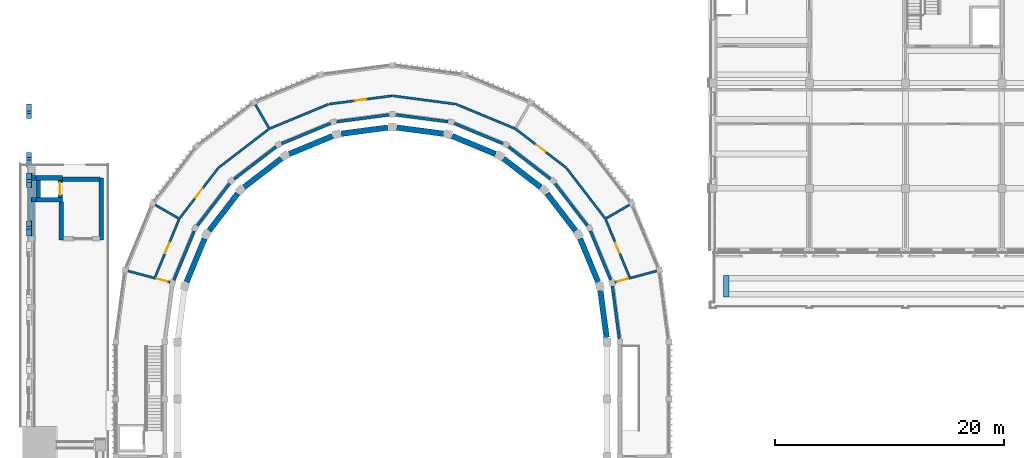
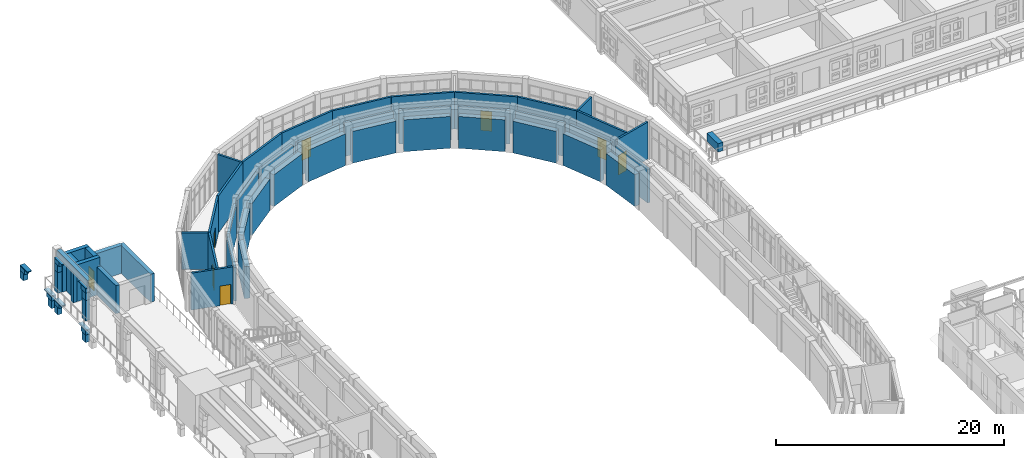
# One storey, part 62 of 99: 68 walls, 8 doors, 8 openings.
"""IFC4 building model written with IfcOpenShell, lengths in metres."""

from ifc_helpers import new_model, si_unit, direction, frame, frame_2d, origin, place, context, subcontext, project, spatial, rectangle, extrude, material, layer, layer_set, type_object, element, fill, save


model = new_model("IFC4")

# Units and contexts
model_context = context("Model", 3, precision=1e-05, world=origin(), true_north=direction((0.0, 1.0)))
body_context = subcontext(model_context, "Body", "Model", "MODEL_VIEW")
ifc_project = project(units=[si_unit("LENGTHUNIT", "METRE"), si_unit("AREAUNIT", "SQUARE_METRE"), si_unit("VOLUMEUNIT", "CUBIC_METRE"), si_unit("PLANEANGLEUNIT", "RADIAN"), si_unit("MASSUNIT", "GRAM", prefix="KILO")], contexts=[model_context])

# Site, building, storey
site_placement = place(None, origin())
site = spatial("IfcSite", under=ifc_project, at=site_placement, CompositionType="ELEMENT")
building_placement = place(site_placement, origin())
building = spatial("IfcBuilding", under=site, at=building_placement, Name="Wasatch Bagh Community Centre", CompositionType="ELEMENT")
storey_placement = place(building_placement, frame((0.0, 0.0, 4.199951171875)))
storey = spatial("IfcBuildingStorey", under=building, at=storey_placement, Name="L01", CompositionType="ELEMENT", Elevation=4.199951171875)

# Walls
ifc_material_1 = material(Name="Concrete C40", Category="concrete")
ifc_layer_1 = layer(ifc_material_1, 0.39990234375)
ifc_layer_set_1 = layer_set([ifc_layer_1], Name="Concrete C40")
wall_type_1 = type_object("IfcWallType", Name="CT-W1", PredefinedType="STANDARD", material=ifc_layer_set_1)
wall_1_placement = place(storey_placement, frame((4.5, 74.25, 3.550048828125), z_axis=(0.0, 0.0, 1.0), x_axis=(0.0, 1.0, 0.0)))
element("IfcWall", 1, at=wall_1_placement, inside=storey, type_object=wall_type_1, Name="CT-W1 terrace arcade spandrel band 6", PredefinedType="STANDARD", context=body_context, shape_type="SweptSolid", body=[
    extrude(rectangle(XDim=5.5, YDim=0.39990234375, at=frame_2d((2.75, 0.0))), origin(), (0.0, 0.0, 1.0), 0.64990234375),
])
ifc_layer_2 = layer(ifc_material_1, 0.39990234375)
ifc_layer_set_2 = layer_set([ifc_layer_2], Name="Concrete C40")
wall_type_2 = type_object("IfcWallType", Name="CT-W2", PredefinedType="SHEAR", material=ifc_layer_set_2)
for number, where, z_axis, x_axis, name in (
    (2, (4.89990234375, 77.39990234375, 0.0), (0.0, 0.0, 1.0), (1.0, 0.0, 0.0), "LC2 shaft wall S"),
    (3, (4.89990234375, 79.300048828125, 0.0), (0.0, 0.0, 1.0), (1.0, 0.0, 0.0), "LC2 shaft wall N"),
):
    element("IfcWall", number, at=place(storey_placement, frame(where, z_axis=z_axis, x_axis=x_axis)), inside=storey, type_object=wall_type_2, Name=name, PredefinedType="SHEAR", context=body_context, shape_type="SweptSolid", body=[
        extrude(rectangle(XDim=2.300048828125, YDim=0.39990234375, at=frame_2d((1.14990234375, 0.0))), origin(), (0.0, 0.0, 1.0), 3.949951171875),
    ])
wall_2_placement = place(storey_placement, frame((5.10009765625, 77.60009765625, 0.0), z_axis=(0.0, 0.0, 1.0), x_axis=(0.0, 1.0, 0.0)))
element("IfcWall", 4, at=wall_2_placement, inside=storey, type_object=wall_type_2, Name="LC2 shaft wall W", PredefinedType="SHEAR", context=body_context, shape_type="SweptSolid", body=[
    extrude(rectangle(XDim=1.5, YDim=0.39990234375, at=frame_2d((0.75, 0.0))), origin(), (0.0, 0.0, 1.0), 3.949951171875),
])

# Wall, opening, door
wall_3_placement = place(storey_placement, frame((7.0, 77.60009765625, 0.0), z_axis=(0.0, 0.0, 1.0), x_axis=(0.0, 1.0, 0.0)))
wall_3 = element("IfcWall", 5, at=wall_3_placement, inside=storey, type_object=wall_type_2, Name="LC2 shaft wall E", PredefinedType="SHEAR", context=body_context, shape_type="SweptSolid", body=[
    extrude(rectangle(XDim=1.5, YDim=0.39990234375, at=frame_2d((0.75, 0.0))), origin(), (0.0, 0.0, 1.0), 3.949951171875),
])
opening_1_placement = place(wall_3_placement, frame((0.25, 0.0, 0.0)))
opening_1 = element("IfcOpeningElement", 6, at=opening_1_placement, cuts=wall_3, Name="Opening LD", PredefinedType="OPENING", context=body_context, shape_type="SweptSolid", body=[
    extrude(rectangle(XDim=1.0, YDim=2.10009765625, at=frame_2d((0.5, 1.050048828125))), frame((0.0, 0.2099609375, 0.0), z_axis=(0.0, -1.0, 0.0), x_axis=(1.0, 0.0, 0.0)), (0.0, 0.0, 1.0), 0.419921875),
])
ifc_material_2 = material(Name="Stainless steel landing door", Category="steel")
door_type_1 = type_object("IfcDoorType", Name="Lift landing door 1000 x 2100", OperationType="SLIDING_TO_LEFT", PredefinedType="DOOR", material=ifc_material_2)
door_1_placement = place(opening_1_placement, origin())
door_1 = element("IfcDoor", 7, at=door_1_placement, inside=storey, type_object=door_type_1, Name="LC2 landing door L01", OperationType="SLIDING_TO_LEFT", OverallHeight=2.10009765625, OverallWidth=1.0, PredefinedType="DOOR", context=body_context, shape_type="SweptSolid", body=[
    extrude(rectangle(XDim=1.0, YDim=2.10009765625, at=frame_2d((0.5, 1.050048828125))), frame((0.0, 0.02490234375, 0.0), z_axis=(0.0, -1.0, 0.0), x_axis=(1.0, 0.0, 0.0)), (0.0, 0.0, 1.0), 0.050048828125),
])
fill(opening_1, door_1)

# Walls
for number, where, z_axis, x_axis, name in (
    (8, (4.5, 77.39990234375, 0.0), (0.0, 0.0, 1.0), (1.0, 0.0, 0.0), "LC2 shaft wall return S"),
    (9, (4.5, 79.300048828125, 0.0), (0.0, 0.0, 1.0), (1.0, 0.0, 0.0), "LC2 shaft wall return N"),
):
    element("IfcWall", number, at=place(storey_placement, frame(where, z_axis=z_axis, x_axis=x_axis)), inside=storey, type_object=wall_type_2, Name=name, PredefinedType="SHEAR", context=body_context, shape_type="SweptSolid", body=[
        extrude(rectangle(XDim=0.39990234375, YDim=0.39990234375, at=frame_2d((0.199951171875, 0.0))), origin(), (0.0, 0.0, 1.0), 3.5),
    ])
wall_4_placement = place(storey_placement, frame((7.199951171875, 79.199951171875, 0.0), z_axis=(0.0, 0.0, 1.0), x_axis=(1.0, 0.0, 0.0)))
element("IfcWall", 10, at=wall_4_placement, inside=storey, type_object=wall_type_2, Name="Terrace lobby N wall S", PredefinedType="SHEAR", context=body_context, shape_type="SweptSolid", body=[
    extrude(rectangle(XDim=3.300048828125, YDim=0.39990234375, at=frame_2d((1.64990234375, 0.0))), origin(), (0.0, 0.0, 1.0), 3.0),
])
wall_5_placement = place(storey_placement, frame((10.60009765625, 79.300048828125, 0.0), z_axis=(0.0, 0.0, 1.0), x_axis=(0.0, -1.0, 0.0)))
element("IfcWall", 11, at=wall_5_placement, inside=storey, type_object=wall_type_2, Name="Terrace lobby N wall E", PredefinedType="SHEAR", context=body_context, shape_type="SweptSolid", body=[
    extrude(rectangle(XDim=5.400146484375, YDim=0.39990234375, at=frame_2d((2.7001953125, 0.0))), origin(), (0.0, 0.0, 1.0), 3.0),
])
wall_6_placement = place(storey_placement, frame((7.10009765625, 77.199951171875, 0.0), z_axis=(0.0, 0.0, 1.0), x_axis=(0.0, -1.0, 0.0)))
element("IfcWall", 12, at=wall_6_placement, inside=storey, type_object=wall_type_2, Name="Terrace lobby N wall W", PredefinedType="SHEAR", context=body_context, shape_type="SweptSolid", body=[
    extrude(rectangle(XDim=3.300048828125, YDim=0.39990234375, at=frame_2d((1.64990234375, 0.0))), origin(), (0.0, 0.0, 1.0), 3.0),
])
ifc_layer_3 = layer(ifc_material_1, 0.449951171875)
ifc_layer_set_3 = layer_set([ifc_layer_3], Name="Concrete C40")
wall_type_3 = type_object("IfcWallType", Name="CT-W6", PredefinedType="STANDARD", material=ifc_layer_set_3)
for number, where, z_axis, x_axis, name in (
    (13, (4.27490234375, 74.25, -2.300048828125), (0.0, 0.0, 1.0), (0.0, 1.0, 0.0), "CT-W6 colonnade arch spandrel"),
    (14, (4.27490234375, 79.75, -2.300048828125), (0.0, 0.0, 1.0), (0.0, -1.0, 0.0), "CT-W6 colonnade arch spandrel"),
):
    element("IfcWall", number, at=place(storey_placement, frame(where, z_axis=z_axis, x_axis=x_axis)), inside=storey, type_object=wall_type_3, Name=name, PredefinedType="STANDARD", context=body_context, shape_type="SweptSolid", body=[
        extrude(rectangle(XDim=0.60009765625, YDim=0.449951171875, at=frame_2d((0.300048828125, 0.0))), origin(), (0.0, 0.0, 1.0), 0.800048828125),
    ])
for number, where, z_axis, x_axis, name in (
    (15, (4.27490234375, 74.25, -1.5), (0.0, 0.0, 1.0), (0.0, 1.0, 0.0), "CT-W6 colonnade arch spandrel"),
    (16, (4.27490234375, 79.75, -1.5), (0.0, 0.0, 1.0), (0.0, -1.0, 0.0), "CT-W6 colonnade arch spandrel"),
):
    element("IfcWall", number, at=place(storey_placement, frame(where, z_axis=z_axis, x_axis=x_axis)), inside=storey, type_object=wall_type_3, Name=name, PredefinedType="STANDARD", context=body_context, shape_type="SweptSolid", body=[
        extrude(rectangle(XDim=0.831298828125, YDim=0.449951171875, at=frame_2d((0.41552734375, 0.0))), origin(), (0.0, 0.0, 1.0), 0.449951171875),
    ])
for number, where, z_axis, x_axis, name in (
    (17, (4.27490234375, 74.25, -1.050048828125), (0.0, 0.0, 1.0), (0.0, 1.0, 0.0), "CT-W6 colonnade arch spandrel"),
    (18, (4.27490234375, 79.75, -1.050048828125), (0.0, 0.0, 1.0), (0.0, -1.0, 0.0), "CT-W6 colonnade arch spandrel"),
):
    element("IfcWall", number, at=place(storey_placement, frame(where, z_axis=z_axis, x_axis=x_axis)), inside=storey, type_object=wall_type_3, Name=name, PredefinedType="STANDARD", context=body_context, shape_type="SweptSolid", body=[
        extrude(rectangle(XDim=1.271728515625, YDim=0.449951171875, at=frame_2d((0.6357421875, 0.0))), origin(), (0.0, 0.0, 1.0), 0.10009765625),
    ])
for number, where, z_axis, x_axis, name in (
    (19, (4.27490234375, 80.25, -2.300048828125), (0.0, 0.0, 1.0), (0.0, 1.0, 0.0), "CT-W6 colonnade arch spandrel"),
    (20, (4.27490234375, 85.75, -2.300048828125), (0.0, 0.0, 1.0), (0.0, -1.0, 0.0), "CT-W6 colonnade arch spandrel"),
):
    element("IfcWall", number, at=place(storey_placement, frame(where, z_axis=z_axis, x_axis=x_axis)), inside=storey, type_object=wall_type_3, Name=name, PredefinedType="STANDARD", context=body_context, shape_type="SweptSolid", body=[
        extrude(rectangle(XDim=0.60009765625, YDim=0.449951171875, at=frame_2d((0.300048828125, 0.0))), origin(), (0.0, 0.0, 1.0), 0.800048828125),
    ])
for number, where, z_axis, x_axis, name in (
    (21, (4.27490234375, 80.25, -1.5), (0.0, 0.0, 1.0), (0.0, 1.0, 0.0), "CT-W6 colonnade arch spandrel"),
    (22, (4.27490234375, 85.75, -1.5), (0.0, 0.0, 1.0), (0.0, -1.0, 0.0), "CT-W6 colonnade arch spandrel"),
):
    element("IfcWall", number, at=place(storey_placement, frame(where, z_axis=z_axis, x_axis=x_axis)), inside=storey, type_object=wall_type_3, Name=name, PredefinedType="STANDARD", context=body_context, shape_type="SweptSolid", body=[
        extrude(rectangle(XDim=0.831298828125, YDim=0.449951171875, at=frame_2d((0.41552734375, 0.0))), origin(), (0.0, 0.0, 1.0), 0.449951171875),
    ])
for number, where, z_axis, x_axis, name in (
    (23, (4.27490234375, 80.25, -1.050048828125), (0.0, 0.0, 1.0), (0.0, 1.0, 0.0), "CT-W6 colonnade arch spandrel"),
    (24, (4.27490234375, 85.75, -1.050048828125), (0.0, 0.0, 1.0), (0.0, -1.0, 0.0), "CT-W6 colonnade arch spandrel"),
):
    element("IfcWall", number, at=place(storey_placement, frame(where, z_axis=z_axis, x_axis=x_axis)), inside=storey, type_object=wall_type_3, Name=name, PredefinedType="STANDARD", context=body_context, shape_type="SweptSolid", body=[
        extrude(rectangle(XDim=1.271728515625, YDim=0.449951171875, at=frame_2d((0.6357421875, 0.0))), origin(), (0.0, 0.0, 1.0), 0.10009765625),
    ])
for number, where, z_axis, x_axis, name in (
    (25, (4.27490234375, 74.25, 0.0), (0.0, 0.0, 1.0), (0.0, 1.0, 0.0), "CT-W6 colonnade pier panel"),
    (26, (4.27490234375, 79.75, 0.0), (0.0, 0.0, 1.0), (0.0, -1.0, 0.0), "CT-W6 colonnade pier panel"),
):
    element("IfcWall", number, at=place(storey_placement, frame(where, z_axis=z_axis, x_axis=x_axis)), inside=storey, type_object=wall_type_3, Name=name, PredefinedType="STANDARD", context=body_context, shape_type="SweptSolid", body=[
        extrude(rectangle(XDim=0.60009765625, YDim=0.449951171875, at=frame_2d((0.300048828125, 0.0))), origin(), (0.0, 0.0, 1.0), 2.199951171875),
    ])
for number, where, z_axis, x_axis, name in (
    (27, (4.27490234375, 74.25, 2.199951171875), (0.0, 0.0, 1.0), (0.0, 1.0, 0.0), "CT-W6 colonnade arch spandrel"),
    (28, (4.27490234375, 79.75, 2.199951171875), (0.0, 0.0, 1.0), (0.0, -1.0, 0.0), "CT-W6 colonnade arch spandrel"),
):
    element("IfcWall", number, at=place(storey_placement, frame(where, z_axis=z_axis, x_axis=x_axis)), inside=storey, type_object=wall_type_3, Name=name, PredefinedType="STANDARD", context=body_context, shape_type="SweptSolid", body=[
        extrude(rectangle(XDim=0.60009765625, YDim=0.449951171875, at=frame_2d((0.300048828125, 0.0))), origin(), (0.0, 0.0, 1.0), 0.800048828125),
    ])
for number, where, z_axis, x_axis, name in (
    (29, (4.27490234375, 74.25, 3.0), (0.0, 0.0, 1.0), (0.0, 1.0, 0.0), "CT-W6 colonnade arch spandrel"),
    (30, (4.27490234375, 79.75, 3.0), (0.0, 0.0, 1.0), (0.0, -1.0, 0.0), "CT-W6 colonnade arch spandrel"),
):
    element("IfcWall", number, at=place(storey_placement, frame(where, z_axis=z_axis, x_axis=x_axis)), inside=storey, type_object=wall_type_3, Name=name, PredefinedType="STANDARD", context=body_context, shape_type="SweptSolid", body=[
        extrude(rectangle(XDim=0.837158203125, YDim=0.449951171875, at=frame_2d((0.41845703125, 0.0))), origin(), (0.0, 0.0, 1.0), 0.449951171875),
    ])
for number, where, z_axis, x_axis, name in (
    (31, (4.27490234375, 74.25, 3.449951171875), (0.0, 0.0, 1.0), (0.0, 1.0, 0.0), "CT-W6 colonnade arch spandrel"),
    (32, (4.27490234375, 79.75, 3.449951171875), (0.0, 0.0, 1.0), (0.0, -1.0, 0.0), "CT-W6 colonnade arch spandrel"),
):
    element("IfcWall", number, at=place(storey_placement, frame(where, z_axis=z_axis, x_axis=x_axis)), inside=storey, type_object=wall_type_3, Name=name, PredefinedType="STANDARD", context=body_context, shape_type="SweptSolid", body=[
        extrude(rectangle(XDim=1.29833984375, YDim=0.449951171875, at=frame_2d((0.649169921875, 0.0))), origin(), (0.0, 0.0, 1.0), 0.050048828125),
    ])

# Wall, opening, door
ifc_layer_4 = layer(ifc_material_1, 0.199951171875)
ifc_layer_set_4 = layer_set([ifc_layer_4], Name="Concrete C40")
wall_type_4 = type_object("IfcWallType", Name="Drum core wall RC WALL 200", PredefinedType="STANDARD", material=ifc_layer_set_4)
wall_7_placement = place(storey_placement, frame((55.4150390625, 70.2021484375, 0.0), z_axis=(0.0, 0.0, 1.0), x_axis=(0.965919660258, 0.258842055948, 0.0)))
wall_7 = element("IfcWall", 33, at=wall_7_placement, inside=storey, type_object=wall_type_4, Name="Partition 19", PredefinedType="STANDARD", context=body_context, shape_type="SweptSolid", body=[
    extrude(rectangle(XDim=3.800048828125, YDim=0.199951171875, at=frame_2d((1.89990234375, 0.0))), origin(), (0.0, 0.0, 1.0), 3.949951171875),
])
opening_2_placement = place(wall_7_placement, frame((0.199951171875, 0.0, 0.0)))
opening_2 = element("IfcOpeningElement", 34, at=opening_2_placement, cuts=wall_7, Name="Opening 0F-25", PredefinedType="OPENING", context=body_context, shape_type="SweptSolid", body=[
    extrude(rectangle(XDim=1.0, YDim=2.10009765625, at=frame_2d((0.5, 1.050048828125))), frame((0.0, 0.10986328125, 0.0), z_axis=(0.0, -1.0, 0.0), x_axis=(1.0, 0.0, 0.0)), (0.0, 0.0, 1.0), 0.219970703125),
])
ifc_material_3 = material(Name="Timber door leaf in steel frame", Category="steel")
door_type_2 = type_object("IfcDoorType", Name="Drum door single 1000 x 2100", OperationType="SINGLE_SWING_LEFT", PredefinedType="DOOR", material=ifc_material_3)
door_2_placement = place(opening_2_placement, origin())
door_2 = element("IfcDoor", 35, at=door_2_placement, inside=storey, type_object=door_type_2, Name="Door 0F-25", OperationType="SINGLE_SWING_RIGHT", OverallHeight=2.10009765625, OverallWidth=1.0, PredefinedType="DOOR", context=body_context, shape_type="SweptSolid", body=[
    extrude(rectangle(XDim=1.0, YDim=2.10009765625, at=frame_2d((0.5, 1.050048828125))), frame((0.0, 0.02490234375, 0.0), z_axis=(0.0, -1.0, 0.0), x_axis=(1.0, 0.0, 0.0)), (0.0, 0.0, 1.0), 0.050048828125),
])
fill(opening_2, door_2)

wall_8_placement = place(storey_placement, frame((16.5849609375, 70.2021484375, 0.0), z_axis=(0.0, 0.0, 1.0), x_axis=(-0.965919660258, 0.258842055948, 0.0)))
wall_8 = element("IfcWall", 36, at=wall_8_placement, inside=storey, type_object=wall_type_4, Name="Partition 29", PredefinedType="STANDARD", context=body_context, shape_type="SweptSolid", body=[
    extrude(rectangle(XDim=3.800048828125, YDim=0.199951171875, at=frame_2d((1.89990234375, 0.0))), origin(), (0.0, 0.0, 1.0), 3.949951171875),
])
opening_3_placement = place(wall_8_placement, frame((0.199951171875, 0.0, 0.0)))
opening_3 = element("IfcOpeningElement", 37, at=opening_3_placement, cuts=wall_8, Name="Opening 0F-26", PredefinedType="OPENING", context=body_context, shape_type="SweptSolid", body=[
    extrude(rectangle(XDim=1.0, YDim=2.10009765625, at=frame_2d((0.5, 1.050048828125))), frame((0.0, 0.10986328125, 0.0), z_axis=(0.0, -1.0, 0.0), x_axis=(1.0, 0.0, 0.0)), (0.0, 0.0, 1.0), 0.219970703125),
])
door_3_placement = place(opening_3_placement, origin())
door_3 = element("IfcDoor", 38, at=door_3_placement, inside=storey, type_object=door_type_2, Name="Door 0F-26", OperationType="SINGLE_SWING_RIGHT", OverallHeight=2.10009765625, OverallWidth=1.0, PredefinedType="DOOR", context=body_context, shape_type="SweptSolid", body=[
    extrude(rectangle(XDim=1.0, YDim=2.10009765625, at=frame_2d((0.5, 1.050048828125))), frame((0.0, 0.02490234375, 0.0), z_axis=(0.0, -1.0, 0.0), x_axis=(1.0, 0.0, 0.0)), (0.0, 0.0, 1.0), 0.050048828125),
])
fill(opening_3, door_3)

# Walls
ifc_layer_5 = layer(ifc_material_1, 0.25)
ifc_layer_set_5 = layer_set([ifc_layer_5], Name="Concrete C40")
wall_type_5 = type_object("IfcWallType", Name="Drum inner wall RC WALL 250", PredefinedType="SHEAR", material=ifc_layer_set_5)
wall_9_placement = place(storey_placement, frame((55.81494140625, 65.266845703125, 0.0), z_axis=(0.0, 0.0, 1.0), x_axis=(-0.130541551055, 0.991442839224, 0.0)))
element("IfcWall", 39, at=wall_9_placement, inside=storey, type_object=wall_type_5, Name="Inner wall 19", PredefinedType="SHEAR", context=body_context, shape_type="SweptSolid", body=[
    extrude(rectangle(XDim=4.643798828125, YDim=0.25, at=frame_2d((2.32177734375, 0.0))), origin(), (0.0, 0.0, 1.0), 3.60009765625),
])
wall_10_placement = place(storey_placement, frame((55.070556640625, 70.38623046875, 0.0), z_axis=(0.0, 0.0, 1.0), x_axis=(-0.382658268537, 0.923889955309, 0.0)))
element("IfcWall", 40, at=wall_10_placement, inside=storey, type_object=wall_type_5, Name="Inner wall 20", PredefinedType="SHEAR", context=body_context, shape_type="SweptSolid", body=[
    extrude(rectangle(XDim=4.6435546875, YDim=0.25, at=frame_2d((2.32177734375, 0.0))), origin(), (0.0, 0.0, 1.0), 3.60009765625),
])
for number, where, z_axis, x_axis, name in (
    (41, (53.02685546875, 75.138427734375, 0.0), (0.0, 0.0, 1.0), (-0.608762612058, 0.793352432504, 0.0), "Inner wall 21"),
    (42, (49.822509765625, 79.199951171875, 0.0), (0.0, 0.0, 1.0), (-0.793352432504, 0.608762612058, 0.0), "Inner wall 22"),
):
    element("IfcWall", number, at=place(storey_placement, frame(where, z_axis=z_axis, x_axis=x_axis)), inside=storey, type_object=wall_type_5, Name=name, PredefinedType="SHEAR", context=body_context, shape_type="SweptSolid", body=[
        extrude(rectangle(XDim=4.643798828125, YDim=0.25, at=frame_2d((2.32177734375, 0.0))), origin(), (0.0, 0.0, 1.0), 3.60009765625),
    ])
wall_11_placement = place(storey_placement, frame((45.67626953125, 82.293701171875, 0.0), z_axis=(0.0, 0.0, 1.0), x_axis=(-0.923889955309, 0.382658268537, 0.0)))
element("IfcWall", 43, at=wall_11_placement, inside=storey, type_object=wall_type_5, Name="Inner wall 23", PredefinedType="SHEAR", context=body_context, shape_type="SweptSolid", body=[
    extrude(rectangle(XDim=4.6435546875, YDim=0.25, at=frame_2d((2.32177734375, 0.0))), origin(), (0.0, 0.0, 1.0), 3.60009765625),
])
for number, where, z_axis, x_axis, name in (
    (44, (40.870849609375, 84.208740234375, 0.0), (0.0, 0.0, 1.0), (-0.991442839224, 0.130541551055, 0.0), "Inner wall 24"),
    (45, (35.733154296875, 84.81494140625, 0.0), (0.0, 0.0, 1.0), (-0.991442839224, -0.130541551055, 0.0), "Inner wall 25"),
):
    element("IfcWall", number, at=place(storey_placement, frame(where, z_axis=z_axis, x_axis=x_axis)), inside=storey, type_object=wall_type_5, Name=name, PredefinedType="SHEAR", context=body_context, shape_type="SweptSolid", body=[
        extrude(rectangle(XDim=4.643798828125, YDim=0.25, at=frame_2d((2.32177734375, 0.0))), origin(), (0.0, 0.0, 1.0), 3.60009765625),
    ])
wall_12_placement = place(storey_placement, frame((30.61376953125, 84.070556640625, 0.0), z_axis=(0.0, 0.0, 1.0), x_axis=(-0.923889955309, -0.382658268537, 0.0)))
element("IfcWall", 46, at=wall_12_placement, inside=storey, type_object=wall_type_5, Name="Inner wall 26", PredefinedType="SHEAR", context=body_context, shape_type="SweptSolid", body=[
    extrude(rectangle(XDim=4.6435546875, YDim=0.25, at=frame_2d((2.32177734375, 0.0))), origin(), (0.0, 0.0, 1.0), 3.60009765625),
])
for number, where, z_axis, x_axis, name in (
    (47, (25.861572265625, 82.02685546875, 0.0), (0.0, 0.0, 1.0), (-0.793352432504, -0.608762612058, 0.0), "Inner wall 27"),
    (48, (21.800048828125, 78.822509765625, 0.0), (0.0, 0.0, 1.0), (-0.608762612058, -0.793352432504, 0.0), "Inner wall 28"),
):
    element("IfcWall", number, at=place(storey_placement, frame(where, z_axis=z_axis, x_axis=x_axis)), inside=storey, type_object=wall_type_5, Name=name, PredefinedType="SHEAR", context=body_context, shape_type="SweptSolid", body=[
        extrude(rectangle(XDim=4.643798828125, YDim=0.25, at=frame_2d((2.32177734375, 0.0))), origin(), (0.0, 0.0, 1.0), 3.60009765625),
    ])
wall_13_placement = place(storey_placement, frame((18.706298828125, 74.67626953125, 0.0), z_axis=(0.0, 0.0, 1.0), x_axis=(-0.382658268537, -0.923889955309, 0.0)))
element("IfcWall", 49, at=wall_13_placement, inside=storey, type_object=wall_type_5, Name="Inner wall 29", PredefinedType="SHEAR", context=body_context, shape_type="SweptSolid", body=[
    extrude(rectangle(XDim=4.6435546875, YDim=0.25, at=frame_2d((2.32177734375, 0.0))), origin(), (0.0, 0.0, 1.0), 3.60009765625),
])
ifc_material_4 = material(Name="Gypsum board partition on steel studs", Category="steel")
ifc_layer_6 = layer(ifc_material_4, 0.199951171875)
ifc_layer_set_6 = layer_set([ifc_layer_6], Name="Gypsum board partition on steel studs")
wall_type_6 = type_object("IfcWallType", Name="Drum partition 200", PredefinedType="PARTITIONING", material=ifc_layer_set_6)
for number, where, z_axis, x_axis, name in (
    (50, (54.685302734375, 75.7880859375, 0.0), (0.0, 0.0, 1.0), (0.866056135553, 0.499946767237, 0.0), "Partition 20"),
    (51, (25.2119140625, 83.685302734375, 0.0), (0.0, 0.0, 1.0), (-0.499946767237, 0.866056135553, 0.0), "Partition 26"),
    (52, (17.314697265625, 75.7880859375, 0.0), (0.0, 0.0, 1.0), (-0.866056135553, 0.499946767237, 0.0), "Partition 28"),
):
    element("IfcWall", number, at=place(storey_placement, frame(where, z_axis=z_axis, x_axis=x_axis)), inside=storey, type_object=wall_type_6, Name=name, PredefinedType="PARTITIONING", context=body_context, shape_type="SweptSolid", body=[
        extrude(rectangle(XDim=2.323974609375, YDim=0.199951171875, at=frame_2d((1.162109375, 0.0))), origin(), (0.0, 0.0, 1.0), 3.949951171875),
    ])

# Wall, opening, door
wall_14_placement = place(storey_placement, frame((56.704833984375, 70.65087890625, 0.0), z_axis=(0.0, 0.0, 1.0), x_axis=(-0.382696372992, 0.923874172222, 0.0)))
wall_14 = element("IfcWall", 53, at=wall_14_placement, inside=storey, type_object=wall_type_6, Name="Corridor wall 20", PredefinedType="PARTITIONING", context=body_context, shape_type="SweptSolid", body=[
    extrude(rectangle(XDim=5.48583984375, YDim=0.199951171875, at=frame_2d((2.742919921875, 0.0))), origin(), (0.0, 0.0, 1.0), 3.949951171875),
])
opening_4_placement = place(wall_14_placement, frame((2.242919921875, 0.0, 0.0)))
opening_4 = element("IfcOpeningElement", 54, at=opening_4_placement, cuts=wall_14, Name="Opening 0F-37", PredefinedType="OPENING", context=body_context, shape_type="SweptSolid", body=[
    extrude(rectangle(XDim=1.0, YDim=2.10009765625, at=frame_2d((0.5, 1.050048828125))), frame((0.0, 0.10986328125, 0.0), z_axis=(0.0, -1.0, 0.0), x_axis=(1.0, 0.0, 0.0)), (0.0, 0.0, 1.0), 0.219970703125),
])
door_4_placement = place(opening_4_placement, origin())
door_4 = element("IfcDoor", 55, at=door_4_placement, inside=storey, type_object=door_type_2, Name="Door 0F-37", OperationType="SINGLE_SWING_LEFT", OverallHeight=2.10009765625, OverallWidth=1.0, PredefinedType="DOOR", context=body_context, shape_type="SweptSolid", body=[
    extrude(rectangle(XDim=1.0, YDim=2.10009765625, at=frame_2d((0.5, 1.050048828125))), frame((0.0, 0.02490234375, 0.0), z_axis=(0.0, -1.0, 0.0), x_axis=(1.0, 0.0, 0.0)), (0.0, 0.0, 1.0), 0.050048828125),
])
fill(opening_4, door_4)

# Wall
wall_15_placement = place(storey_placement, frame((54.585693359375, 75.75341796875, 0.0), z_axis=(0.0, 0.0, 1.0), x_axis=(-0.608771278496, 0.793345782417, 0.0)))
element("IfcWall", 56, at=wall_15_placement, inside=storey, type_object=wall_type_6, Name="Corridor wall 21", PredefinedType="PARTITIONING", context=body_context, shape_type="SweptSolid", body=[
    extrude(rectangle(XDim=5.56591796875, YDim=0.199951171875, at=frame_2d((2.782958984375, 0.0))), origin(), (0.0, 0.0, 1.0), 3.949951171875),
])

# Wall, opening, door
wall_16_placement = place(storey_placement, frame((51.169189453125, 80.197265625, 0.0), z_axis=(0.0, 0.0, 1.0), x_axis=(-0.793345782417, 0.608771278496, 0.0)))
wall_16 = element("IfcWall", 57, at=wall_16_placement, inside=storey, type_object=wall_type_6, Name="Corridor wall 22", PredefinedType="PARTITIONING", context=body_context, shape_type="SweptSolid", body=[
    extrude(rectangle(XDim=5.56591796875, YDim=0.199951171875, at=frame_2d((2.782958984375, 0.0))), origin(), (0.0, 0.0, 1.0), 3.949951171875),
])
opening_5_placement = place(wall_16_placement, frame((2.282958984375, 0.0, 0.0)))
opening_5 = element("IfcOpeningElement", 58, at=opening_5_placement, cuts=wall_16, Name="Opening 0F-38", PredefinedType="OPENING", context=body_context, shape_type="SweptSolid", body=[
    extrude(rectangle(XDim=1.0, YDim=2.10009765625, at=frame_2d((0.5, 1.050048828125))), frame((0.0, 0.10986328125, 0.0), z_axis=(0.0, -1.0, 0.0), x_axis=(1.0, 0.0, 0.0)), (0.0, 0.0, 1.0), 0.219970703125),
])
door_5_placement = place(opening_5_placement, origin())
door_5 = element("IfcDoor", 59, at=door_5_placement, inside=storey, type_object=door_type_2, Name="Door 0F-38", OperationType="SINGLE_SWING_RIGHT", OverallHeight=2.10009765625, OverallWidth=1.0, PredefinedType="DOOR", context=body_context, shape_type="SweptSolid", body=[
    extrude(rectangle(XDim=1.0, YDim=2.10009765625, at=frame_2d((0.5, 1.050048828125))), frame((0.0, 0.02490234375, 0.0), z_axis=(0.0, -1.0, 0.0), x_axis=(1.0, 0.0, 0.0)), (0.0, 0.0, 1.0), 0.050048828125),
])
fill(opening_5, door_5)

# Walls
for number, where, z_axis, x_axis, name in (
    (60, (46.718994140625, 83.60546875, 0.0), (0.0, 0.0, 1.0), (-0.923873023247, 0.382699146742, 0.0), "Corridor wall 23"),
    (61, (41.538330078125, 85.745849609375, 0.0), (0.0, 0.0, 1.0), (-0.99144414081, 0.130531665327, 0.0), "Corridor wall 24"),
):
    element("IfcWall", number, at=place(storey_placement, frame(where, z_axis=z_axis, x_axis=x_axis)), inside=storey, type_object=wall_type_6, Name=name, PredefinedType="PARTITIONING", context=body_context, shape_type="SweptSolid", body=[
        extrude(rectangle(XDim=5.566162109375, YDim=0.199951171875, at=frame_2d((2.783203125, 0.0))), origin(), (0.0, 0.0, 1.0), 3.949951171875),
    ])

# Wall, opening, door
wall_17_placement = place(storey_placement, frame((35.980224609375, 86.472412109375, 0.0), z_axis=(0.0, 0.0, 1.0), x_axis=(-0.99144414081, -0.130531665327, 0.0)))
wall_17 = element("IfcWall", 62, at=wall_17_placement, inside=storey, type_object=wall_type_6, Name="Corridor wall 25", PredefinedType="PARTITIONING", context=body_context, shape_type="SweptSolid", body=[
    extrude(rectangle(XDim=5.566162109375, YDim=0.199951171875, at=frame_2d((2.783203125, 0.0))), origin(), (0.0, 0.0, 1.0), 3.949951171875),
])
opening_6_placement = place(wall_17_placement, frame((2.282958984375, 0.0, 0.0)))
opening_6 = element("IfcOpeningElement", 63, at=opening_6_placement, cuts=wall_17, Name="Opening 0F-39", PredefinedType="OPENING", context=body_context, shape_type="SweptSolid", body=[
    extrude(rectangle(XDim=1.0, YDim=2.10009765625, at=frame_2d((0.5, 1.050048828125))), frame((0.0, 0.10986328125, 0.0), z_axis=(0.0, -1.0, 0.0), x_axis=(1.0, 0.0, 0.0)), (0.0, 0.0, 1.0), 0.219970703125),
])
door_6_placement = place(opening_6_placement, origin())
door_6 = element("IfcDoor", 64, at=door_6_placement, inside=storey, type_object=door_type_2, Name="Door 0F-39", OperationType="SINGLE_SWING_LEFT", OverallHeight=2.10009765625, OverallWidth=1.0, PredefinedType="DOOR", context=body_context, shape_type="SweptSolid", body=[
    extrude(rectangle(XDim=1.0, YDim=2.10009765625, at=frame_2d((0.5, 1.050048828125))), frame((0.0, 0.02490234375, 0.0), z_axis=(0.0, -1.0, 0.0), x_axis=(1.0, 0.0, 0.0)), (0.0, 0.0, 1.0), 0.050048828125),
])
fill(opening_6, door_6)

# Walls
wall_18_placement = place(storey_placement, frame((30.42333984375, 85.735595703125, 0.0), z_axis=(0.0, 0.0, 1.0), x_axis=(-0.923873023247, -0.382699146742, 0.0)))
element("IfcWall", 65, at=wall_18_placement, inside=storey, type_object=wall_type_6, Name="Corridor wall 26", PredefinedType="PARTITIONING", context=body_context, shape_type="SweptSolid", body=[
    extrude(rectangle(XDim=5.566162109375, YDim=0.199951171875, at=frame_2d((2.783203125, 0.0))), origin(), (0.0, 0.0, 1.0), 3.949951171875),
])
wall_19_placement = place(storey_placement, frame((25.24658203125, 83.585693359375, 0.0), z_axis=(0.0, 0.0, 1.0), x_axis=(-0.793345782417, -0.608771278496, 0.0)))
element("IfcWall", 66, at=wall_19_placement, inside=storey, type_object=wall_type_6, Name="Corridor wall 27", PredefinedType="PARTITIONING", context=body_context, shape_type="SweptSolid", body=[
    extrude(rectangle(XDim=5.56591796875, YDim=0.199951171875, at=frame_2d((2.782958984375, 0.0))), origin(), (0.0, 0.0, 1.0), 3.949951171875),
])

# Wall, opening, door
wall_20_placement = place(storey_placement, frame((20.802734375, 80.169189453125, 0.0), z_axis=(0.0, 0.0, 1.0), x_axis=(-0.608771278496, -0.793345782417, 0.0)))
wall_20 = element("IfcWall", 67, at=wall_20_placement, inside=storey, type_object=wall_type_6, Name="Corridor wall 28", PredefinedType="PARTITIONING", context=body_context, shape_type="SweptSolid", body=[
    extrude(rectangle(XDim=5.56591796875, YDim=0.199951171875, at=frame_2d((2.782958984375, 0.0))), origin(), (0.0, 0.0, 1.0), 3.949951171875),
])
opening_7_placement = place(wall_20_placement, frame((2.282958984375, 0.0, 0.0)))
opening_7 = element("IfcOpeningElement", 68, at=opening_7_placement, cuts=wall_20, Name="Opening 0F-40", PredefinedType="OPENING", context=body_context, shape_type="SweptSolid", body=[
    extrude(rectangle(XDim=1.0, YDim=2.10009765625, at=frame_2d((0.5, 1.050048828125))), frame((0.0, 0.10986328125, 0.0), z_axis=(0.0, -1.0, 0.0), x_axis=(1.0, 0.0, 0.0)), (0.0, 0.0, 1.0), 0.219970703125),
])
door_7_placement = place(opening_7_placement, origin())
door_7 = element("IfcDoor", 69, at=door_7_placement, inside=storey, type_object=door_type_2, Name="Door 0F-40", OperationType="SINGLE_SWING_RIGHT", OverallHeight=2.10009765625, OverallWidth=1.0, PredefinedType="DOOR", context=body_context, shape_type="SweptSolid", body=[
    extrude(rectangle(XDim=1.0, YDim=2.10009765625, at=frame_2d((0.5, 1.050048828125))), frame((0.0, 0.02490234375, 0.0), z_axis=(0.0, -1.0, 0.0), x_axis=(1.0, 0.0, 0.0)), (0.0, 0.0, 1.0), 0.050048828125),
])
fill(opening_7, door_7)

wall_21_placement = place(storey_placement, frame((17.39453125, 75.718994140625, 0.0), z_axis=(0.0, 0.0, 1.0), x_axis=(-0.382696372992, -0.923874172222, 0.0)))
wall_21 = element("IfcWall", 70, at=wall_21_placement, inside=storey, type_object=wall_type_6, Name="Corridor wall 29", PredefinedType="PARTITIONING", context=body_context, shape_type="SweptSolid", body=[
    extrude(rectangle(XDim=5.48583984375, YDim=0.199951171875, at=frame_2d((2.742919921875, 0.0))), origin(), (0.0, 0.0, 1.0), 3.949951171875),
])
opening_8_placement = place(wall_21_placement, frame((2.242919921875, 0.0, 0.0)))
opening_8 = element("IfcOpeningElement", 71, at=opening_8_placement, cuts=wall_21, Name="Opening 0F-41", PredefinedType="OPENING", context=body_context, shape_type="SweptSolid", body=[
    extrude(rectangle(XDim=1.0, YDim=2.10009765625, at=frame_2d((0.5, 1.050048828125))), frame((0.0, 0.10986328125, 0.0), z_axis=(0.0, -1.0, 0.0), x_axis=(1.0, 0.0, 0.0)), (0.0, 0.0, 1.0), 0.219970703125),
])
door_8_placement = place(opening_8_placement, origin())
door_8 = element("IfcDoor", 72, at=door_8_placement, inside=storey, type_object=door_type_2, Name="Door 0F-41", OperationType="SINGLE_SWING_LEFT", OverallHeight=2.10009765625, OverallWidth=1.0, PredefinedType="DOOR", context=body_context, shape_type="SweptSolid", body=[
    extrude(rectangle(XDim=1.0, YDim=2.10009765625, at=frame_2d((0.5, 1.050048828125))), frame((0.0, 0.02490234375, 0.0), z_axis=(0.0, -1.0, 0.0), x_axis=(1.0, 0.0, 0.0)), (0.0, 0.0, 1.0), 0.050048828125),
])
fill(opening_8, door_8)

# Walls
ifc_material_5 = material(Name="Concrete C35", Category="concrete")
ifc_layer_7 = layer(ifc_material_5, 0.5)
ifc_layer_set_7 = layer_set([ifc_layer_7], Name="Concrete C35")
wall_type_7 = type_object("IfcWallType", Name="LW planter trough wall 500", PredefinedType="SOLIDWALL", material=ifc_layer_set_7)
wall_22_placement = place(storey_placement, frame((65.14990234375, 68.89990234375, 0.0), z_axis=(0.0, 0.0, 1.0), x_axis=(0.0, 1.0, 0.0)))
element("IfcWall", 73, at=wall_22_placement, inside=storey, type_object=wall_type_7, Name="Planter wall T1", PredefinedType="SOLIDWALL", context=body_context, shape_type="SweptSolid", body=[
    extrude(rectangle(XDim=1.900146484375, YDim=0.5, at=frame_2d((0.9501953125, 0.0))), origin(), (0.0, 0.0, 1.0), 0.900146484375),
])
ifc_layer_8 = layer(ifc_material_1, 0.5)
ifc_layer_set_8 = layer_set([ifc_layer_8], Name="Concrete C40")
wall_type_8 = type_object("IfcWallType", Name="MH wall RC WALL 500", PredefinedType="SHEAR", material=ifc_layer_set_8)
for number, where, z_axis, x_axis, name in (
    (74, (54.699462890625, 65.383056640625, 0.0), (0.0, 0.0, 1.0), (-0.130483623501, 0.991450464722, 0.0), "Capsule wall 19"),
    (75, (53.963134765625, 70.2099609375, 0.0), (0.0, 0.0, 1.0), (-0.382688328955, 0.923877504262, 0.0), "Capsule wall 20"),
    (76, (52.002685546875, 74.681640625, 0.0), (0.0, 0.0, 1.0), (-0.60877717335, 0.793341258985, 0.0), "Capsule wall 21"),
    (77, (48.95166015625, 78.493408203125, 0.0), (0.0, 0.0, 1.0), (-0.793341258985, 0.60877717335, 0.0), "Capsule wall 22"),
    (78, (45.01806640625, 81.3857421875, 0.0), (0.0, 0.0, 1.0), (-0.923877504262, 0.382688328955, 0.0), "Capsule wall 23"),
    (79, (40.4697265625, 83.16162109375, 0.0), (0.0, 0.0, 1.0), (-0.991450464722, 0.130483623501, 0.0), "Capsule wall 24"),
    (80, (35.616943359375, 83.699462890625, 0.0), (0.0, 0.0, 1.0), (-0.991450464722, -0.130483623501, 0.0), "Capsule wall 25"),
    (81, (30.7900390625, 82.963134765625, 0.0), (0.0, 0.0, 1.0), (-0.923877504262, -0.382688328955, 0.0), "Capsule wall 26"),
    (82, (26.318359375, 81.002685546875, 0.0), (0.0, 0.0, 1.0), (-0.793341258985, -0.60877717335, 0.0), "Capsule wall 27"),
    (83, (22.506591796875, 77.95166015625, 0.0), (0.0, 0.0, 1.0), (-0.60877717335, -0.793341258985, 0.0), "Capsule wall 28"),
    (84, (19.6142578125, 74.01806640625, 0.0), (0.0, 0.0, 1.0), (-0.382688328955, -0.923877504262, 0.0), "Capsule wall 29"),
):
    element("IfcWall", number, at=place(storey_placement, frame(where, z_axis=z_axis, x_axis=x_axis)), inside=storey, type_object=wall_type_8, Name=name, PredefinedType="SHEAR", context=body_context, shape_type="SweptSolid", body=[
        extrude(rectangle(XDim=4.121826171875, YDim=0.5, at=frame_2d((2.06103515625, 0.0))), origin(), (0.0, 0.0, 1.0), 3.400146484375),
    ])

save(model, "model.ifc")
